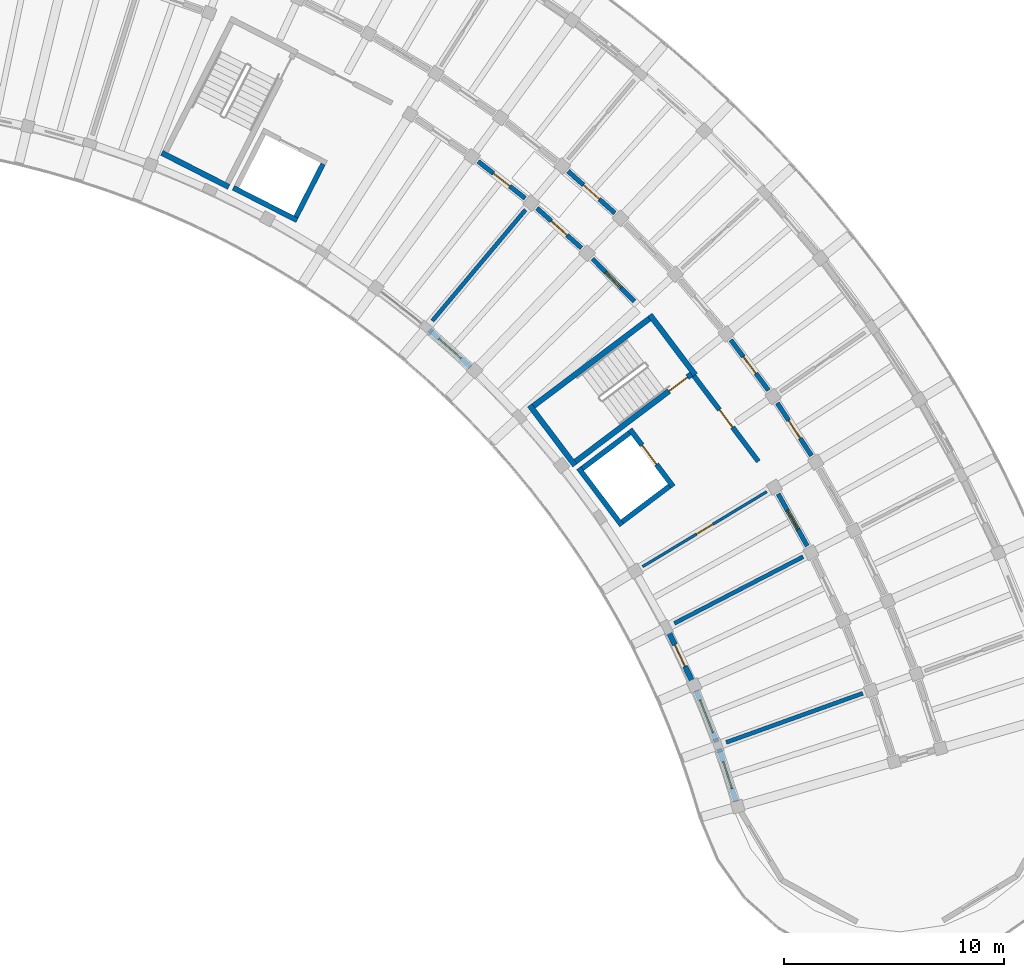
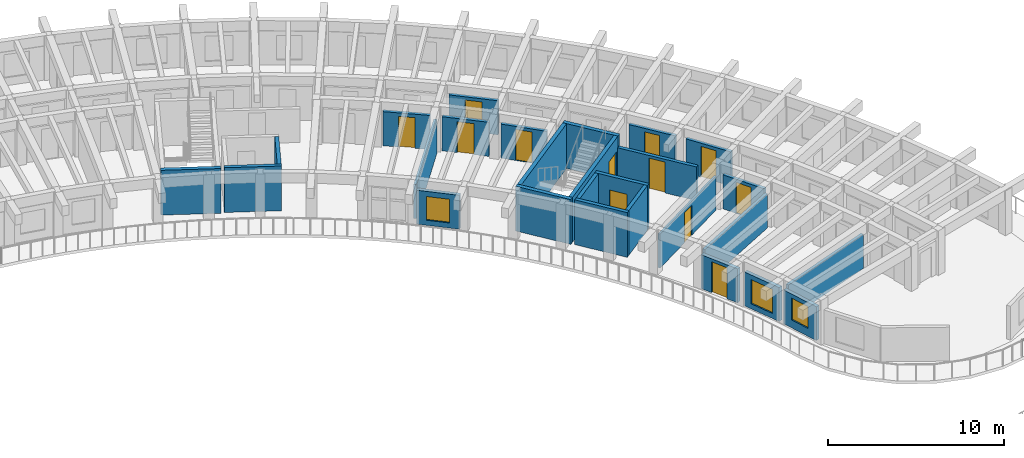
# One storey, part 43 of 69: 27 walls, 12 doors, 3 windows, 15 openings.
"""IFC4 building model written with IfcOpenShell, lengths in metres."""

from ifc_helpers import new_model, si_unit, direction, frame, frame_2d, origin, place, context, subcontext, project, spatial, rectangle, extrude, material, layer, layer_set, type_object, element, fill, save


model = new_model("IFC4")

# Units and contexts
model_context = context("Model", 3, precision=1e-05, world=origin(), true_north=direction((0.0, 1.0)))
body_context = subcontext(model_context, "Body", "Model", "MODEL_VIEW")
ifc_project = project(units=[si_unit("LENGTHUNIT", "METRE"), si_unit("AREAUNIT", "SQUARE_METRE"), si_unit("VOLUMEUNIT", "CUBIC_METRE"), si_unit("PLANEANGLEUNIT", "RADIAN"), si_unit("MASSUNIT", "GRAM", prefix="KILO")], contexts=[model_context])

# Site, building, storey
site_placement = place(None, origin())
site = spatial("IfcSite", under=ifc_project, at=site_placement, CompositionType="ELEMENT")
building_placement = place(site_placement, origin())
building = spatial("IfcBuilding", under=site, at=building_placement, Name="Tanwirah Colonnade Gardens", CompositionType="ELEMENT")
storey_placement = place(building_placement, frame((0.0, 0.0, 15.56005859375)))
storey = spatial("IfcBuildingStorey", under=building, at=storey_placement, Name="L04", CompositionType="ELEMENT", Elevation=15.56005859375)

# Wall, opening, window
ifc_material_1 = material(Name="Limestone architectural precast concrete C40/50", Category="masonry")
ifc_layer_1 = layer(ifc_material_1, 0.239990234375)
ifc_layer_set_1 = layer_set([ifc_layer_1], Name="Limestone architectural precast concrete C40/50")
wall_type_1 = type_object("IfcWallType", Name="EW-PC240", PredefinedType="SOLIDWALL", material=ifc_layer_set_1)
wall_1_placement = place(storey_placement, frame((163.65283203125, 72.685302734375, 0.0), z_axis=(0.0, 0.0, 1.0), x_axis=(-0.30716379336, 0.951656662903, 0.0)))
wall_1 = element("IfcWall", 1, at=wall_1_placement, inside=storey, type_object=wall_type_1, Name="Block B L04 IN Precast Facade Wall 0", PredefinedType="SOLIDWALL", context=body_context, shape_type="SweptSolid", body=[
    extrude(rectangle(XDim=2.525146484375, YDim=0.239990234375, at=frame_2d((1.2626953125, 0.0))), origin(), (0.0, 0.0, 1.0), 2.35498046875),
])
opening_1_placement = place(wall_1_placement, frame((0.62255859375, 0.0, 0.550048828125)))
opening_1 = element("IfcOpeningElement", 2, at=opening_1_placement, cuts=wall_1, Name="Opening WIN-T17", PredefinedType="OPENING", context=body_context, shape_type="SweptSolid", body=[
    extrude(rectangle(XDim=1.280029296875, YDim=1.52001953125, at=frame_2d((0.64013671875, 0.760009765625))), frame((0.0, 0.1298828125, 0.0), z_axis=(0.0, -1.0, 0.0), x_axis=(1.0, 0.0, 0.0)), (0.0, 0.0, 1.0), 0.260009765625),
])
ifc_material_2 = material(Name="Thermally broken bronze aluminium and solar low-E double glazing", Category="aluminium")
window_type_1 = type_object("IfcWindowType", Name="WIN-T17", PartitioningType="SINGLE_PANEL", PredefinedType="WINDOW", material=ifc_material_2)
window_1_placement = place(opening_1_placement, origin())
window_1 = element("IfcWindow", 3, at=window_1_placement, inside=storey, type_object=window_type_1, Name="Facade window B-L04-IN-00", OverallHeight=1.52001953125, OverallWidth=1.280029296875, PartitioningType="SINGLE_PANEL", PredefinedType="WINDOW", context=body_context, shape_type="SweptSolid", body=[
    extrude(rectangle(XDim=1.280029296875, YDim=1.52001953125, at=frame_2d((0.64013671875, 0.760009765625))), frame((0.0, 0.030029296875, 0.0), z_axis=(0.0, -1.0, 0.0), x_axis=(1.0, 0.0, 0.0)), (0.0, 0.0, 1.0), 0.06005859375),
])
fill(opening_1, window_1)

wall_2_placement = place(storey_placement, frame((162.768798828125, 75.389404296875, 0.0), z_axis=(0.0, 0.0, 1.0), x_axis=(-0.369122600107, 0.92938071106, 0.0)))
wall_2 = element("IfcWall", 4, at=wall_2_placement, inside=storey, type_object=wall_type_1, Name="Block B L04 IN Precast Facade Wall 1", PredefinedType="SOLIDWALL", context=body_context, shape_type="SweptSolid", body=[
    extrude(rectangle(XDim=2.525146484375, YDim=0.239990234375, at=frame_2d((1.2626953125, 0.0))), origin(), (0.0, 0.0, 1.0), 2.35498046875),
])
opening_2_placement = place(wall_2_placement, frame((0.47265625, 0.0, 0.35009765625)))
opening_2 = element("IfcOpeningElement", 5, at=opening_2_placement, cuts=wall_2, Name="Opening WIN-T20", PredefinedType="OPENING", context=body_context, shape_type="SweptSolid", body=[
    extrude(rectangle(XDim=1.580078125, YDim=1.679931640625, at=frame_2d((0.7900390625, 0.83984375))), frame((0.0, 0.1298828125, 0.0), z_axis=(0.0, -1.0, 0.0), x_axis=(1.0, 0.0, 0.0)), (0.0, 0.0, 1.0), 0.260009765625),
])
window_type_2 = type_object("IfcWindowType", Name="WIN-T20", PartitioningType="DOUBLE_PANEL_VERTICAL", PredefinedType="WINDOW", material=ifc_material_2)
window_2_placement = place(opening_2_placement, origin())
window_2 = element("IfcWindow", 6, at=window_2_placement, inside=storey, type_object=window_type_2, Name="Facade window B-L04-IN-01", OverallHeight=1.679931640625, OverallWidth=1.580078125, PartitioningType="SINGLE_PANEL", PredefinedType="WINDOW", context=body_context, shape_type="SweptSolid", body=[
    extrude(rectangle(XDim=1.580078125, YDim=1.679931640625, at=frame_2d((0.7900390625, 0.83984375))), frame((0.0, 0.030029296875, 0.0), z_axis=(0.0, -1.0, 0.0), x_axis=(1.0, 0.0, 0.0)), (0.0, 0.0, 1.0), 0.06005859375),
])
fill(opening_2, window_2)

# Wall, opening, door
wall_3_placement = place(storey_placement, frame((161.640869140625, 78.18505859375, 0.0), z_axis=(0.0, 0.0, 1.0), x_axis=(-0.429610836066, 0.903014135844, 0.0)))
wall_3 = element("IfcWall", 7, at=wall_3_placement, inside=storey, type_object=wall_type_1, Name="Block B L04 IN Precast Facade Wall 2", PredefinedType="SOLIDWALL", context=body_context, shape_type="SweptSolid", body=[
    extrude(rectangle(XDim=2.525390625, YDim=0.239990234375, at=frame_2d((1.2626953125, 0.0))), origin(), (0.0, 0.0, 1.0), 2.35498046875),
])
opening_3_placement = place(wall_3_placement, frame((0.72265625, 0.0, 0.0)))
opening_3 = element("IfcOpeningElement", 8, at=opening_3_placement, cuts=wall_3, Name="Opening L04-ED085", PredefinedType="OPENING", context=body_context, shape_type="SweptSolid", body=[
    extrude(rectangle(XDim=1.080078125, YDim=2.14990234375, at=frame_2d((0.5400390625, 1.074951171875))), frame((0.0, 0.1298828125, 0.0), z_axis=(0.0, -1.0, 0.0), x_axis=(1.0, 0.0, 0.0)), (0.0, 0.0, 1.0), 0.260009765625),
])
ifc_material_3 = material(Name="Bronze aluminium glazed balcony door", Category="aluminium")
door_type_1 = type_object("IfcDoorType", Name="ED-BAL108", OperationType="NOTDEFINED", PredefinedType="DOOR", material=ifc_material_3)
door_1_placement = place(opening_3_placement, origin())
door_1 = element("IfcDoor", 9, at=door_1_placement, inside=storey, type_object=door_type_1, Name="Balcony glazed door L04-ED085", OperationType="SINGLE_SWING_LEFT", OverallHeight=2.14990234375, OverallWidth=1.080078125, PredefinedType="DOOR", context=body_context, shape_type="SweptSolid", body=[
    extrude(rectangle(XDim=1.080078125, YDim=2.14990234375, at=frame_2d((0.5400390625, 1.074951171875))), frame((0.0, 0.02490234375, 0.0), z_axis=(0.0, -1.0, 0.0), x_axis=(1.0, 0.0, 0.0)), (0.0, 0.0, 1.0), 0.050048828125),
])
fill(opening_3, door_1)

# Wall, opening, window
wall_4_placement = place(storey_placement, frame((151.571044921875, 92.457763671875, 0.0), z_axis=(0.0, 0.0, 1.0), x_axis=(-0.744489903584, 0.667633719536, 0.0)))
wall_4 = element("IfcWall", 10, at=wall_4_placement, inside=storey, type_object=wall_type_1, Name="Block B L04 IN Precast Facade Wall 8", PredefinedType="SOLIDWALL", context=body_context, shape_type="SweptSolid", body=[
    extrude(rectangle(XDim=2.525390625, YDim=0.239990234375, at=frame_2d((1.2626953125, 0.0))), origin(), (0.0, 0.0, 1.0), 2.35498046875),
])
opening_4_placement = place(wall_4_placement, frame((0.587646484375, 0.0, 0.35009765625)))
opening_4 = element("IfcOpeningElement", 11, at=opening_4_placement, cuts=wall_4, Name="Opening WIN-T05", PredefinedType="OPENING", context=body_context, shape_type="SweptSolid", body=[
    extrude(rectangle(XDim=1.35009765625, YDim=1.64990234375, at=frame_2d((0.675048828125, 0.824951171875))), frame((0.0, 0.1298828125, 0.0), z_axis=(0.0, -1.0, 0.0), x_axis=(1.0, 0.0, 0.0)), (0.0, 0.0, 1.0), 0.260009765625),
])
window_type_3 = type_object("IfcWindowType", Name="WIN-T05", PartitioningType="DOUBLE_PANEL_VERTICAL", PredefinedType="WINDOW", material=ifc_material_2)
window_3_placement = place(opening_4_placement, origin())
window_3 = element("IfcWindow", 12, at=window_3_placement, inside=storey, type_object=window_type_3, Name="Facade window B-L04-IN-08", OverallHeight=1.64990234375, OverallWidth=1.35009765625, PartitioningType="SINGLE_PANEL", PredefinedType="WINDOW", context=body_context, shape_type="SweptSolid", body=[
    extrude(rectangle(XDim=1.35009765625, YDim=1.64990234375, at=frame_2d((0.675048828125, 0.824951171875))), frame((0.0, 0.030029296875, 0.0), z_axis=(0.0, -1.0, 0.0), x_axis=(1.0, 0.0, 0.0)), (0.0, 0.0, 1.0), 0.06005859375),
])
fill(opening_4, window_3)

# Wall, opening, door
ifc_material_4 = material(Name="Precast concrete C40/50", Category="concrete")
ifc_layer_2 = layer(ifc_material_4, 0.205078125)
ifc_layer_set_2 = layer_set([ifc_layer_2], Name="Precast concrete C40/50")
wall_type_2 = type_object("IfcWallType", Name="IW-CORR205", PredefinedType="PARTITIONING", material=ifc_layer_set_2)
wall_5_placement = place(storey_placement, frame((166.89013671875, 84.313232421875, 0.0), z_axis=(0.0, 0.0, 1.0), x_axis=(-0.48819576874, 0.872734147025, 0.0)))
wall_5 = element("IfcWall", 13, at=wall_5_placement, inside=storey, type_object=wall_type_2, Name="Block B L04 IN Corridor Wall 3", PredefinedType="PARTITIONING", context=body_context, shape_type="SweptSolid", body=[
    extrude(rectangle(XDim=2.718017578125, YDim=0.205078125, at=frame_2d((1.35888671875, 0.0))), origin(), (0.0, 0.0, 1.0), 2.369873046875),
])
opening_5_placement = place(wall_5_placement, frame((0.864013671875, 0.0, 0.0)))
opening_5 = element("IfcOpeningElement", 14, at=opening_5_placement, cuts=wall_5, Name="Opening L04-AD969", PredefinedType="OPENING", context=body_context, shape_type="SweptSolid", body=[
    extrude(rectangle(XDim=0.989990234375, YDim=2.159912109375, at=frame_2d((0.4951171875, 1.080078125))), frame((0.0, 0.112548828125, 0.0), z_axis=(0.0, -1.0, 0.0), x_axis=(1.0, 0.0, 0.0)), (0.0, 0.0, 1.0), 0.22509765625),
])
ifc_material_5 = material(Name="Solid oak fire-resisting apartment entrance door")
door_type_2 = type_object("IfcDoorType", Name="ID-FLT099", OperationType="NOTDEFINED", PredefinedType="DOOR", material=ifc_material_5)
door_2_placement = place(opening_5_placement, origin())
door_2 = element("IfcDoor", 15, at=door_2_placement, inside=storey, type_object=door_type_2, Name="Apartment corridor door L04-AD969", OperationType="SINGLE_SWING_LEFT", OverallHeight=2.159912109375, OverallWidth=0.989990234375, PredefinedType="DOOR", context=body_context, shape_type="SweptSolid", body=[
    extrude(rectangle(XDim=0.989990234375, YDim=2.159912109375, at=frame_2d((0.4951171875, 1.080078125))), frame((0.0, 0.02490234375, 0.0), z_axis=(0.0, -1.0, 0.0), x_axis=(1.0, 0.0, 0.0)), (0.0, 0.0, 1.0), 0.050048828125),
])
fill(opening_5, door_2)

wall_6_placement = place(storey_placement, frame((167.085205078125, 88.421142578125, 0.0), z_axis=(0.0, 0.0, 1.0), x_axis=(-0.544643612649, 0.838667595178, 0.0)))
wall_6 = element("IfcWall", 16, at=wall_6_placement, inside=storey, type_object=wall_type_2, Name="Block B L04 OUT Corridor Wall 4", PredefinedType="PARTITIONING", context=body_context, shape_type="SweptSolid", body=[
    extrude(rectangle(XDim=2.863037109375, YDim=0.205078125, at=frame_2d((1.431640625, 0.0))), origin(), (0.0, 0.0, 1.0), 2.369873046875),
])
opening_6_placement = place(wall_6_placement, frame((0.946533203125, 0.0, 0.0)))
opening_6 = element("IfcOpeningElement", 17, at=opening_6_placement, cuts=wall_6, Name="Opening L04-AD971", PredefinedType="OPENING", context=body_context, shape_type="SweptSolid", body=[
    extrude(rectangle(XDim=0.969970703125, YDim=2.14990234375, at=frame_2d((0.48486328125, 1.074951171875))), frame((0.0, 0.112548828125, 0.0), z_axis=(0.0, -1.0, 0.0), x_axis=(1.0, 0.0, 0.0)), (0.0, 0.0, 1.0), 0.22509765625),
])
door_type_3 = type_object("IfcDoorType", Name="ID-FLT097", OperationType="NOTDEFINED", PredefinedType="DOOR", material=ifc_material_5)
door_3_placement = place(opening_6_placement, origin())
door_3 = element("IfcDoor", 18, at=door_3_placement, inside=storey, type_object=door_type_3, Name="Apartment corridor door L04-AD971", OperationType="SINGLE_SWING_LEFT", OverallHeight=2.14990234375, OverallWidth=0.969970703125, PredefinedType="DOOR", context=body_context, shape_type="SweptSolid", body=[
    extrude(rectangle(XDim=0.969970703125, YDim=2.14990234375, at=frame_2d((0.48486328125, 1.074951171875))), frame((0.0, 0.02490234375, 0.0), z_axis=(0.0, -1.0, 0.0), x_axis=(1.0, 0.0, 0.0)), (0.0, 0.0, 1.0), 0.050048828125),
])
fill(opening_6, door_3)

wall_7_placement = place(storey_placement, frame((165.125732421875, 91.396240234375, 0.0), z_axis=(0.0, 0.0, 1.0), x_axis=(-0.598757763243, 0.800930172335, 0.0)))
wall_7 = element("IfcWall", 19, at=wall_7_placement, inside=storey, type_object=wall_type_2, Name="Block B L04 OUT Corridor Wall 5", PredefinedType="PARTITIONING", context=body_context, shape_type="SweptSolid", body=[
    extrude(rectangle(XDim=2.86328125, YDim=0.205078125, at=frame_2d((1.431640625, 0.0))), origin(), (0.0, 0.0, 1.0), 2.369873046875),
])
opening_7_placement = place(wall_7_placement, frame((0.95654296875, 0.0, 0.0)))
opening_7 = element("IfcOpeningElement", 20, at=opening_7_placement, cuts=wall_7, Name="Opening L04-AD973", PredefinedType="OPENING", context=body_context, shape_type="SweptSolid", body=[
    extrude(rectangle(XDim=0.949951171875, YDim=2.1298828125, at=frame_2d((0.47509765625, 1.06494140625))), frame((0.0, 0.112548828125, 0.0), z_axis=(0.0, -1.0, 0.0), x_axis=(1.0, 0.0, 0.0)), (0.0, 0.0, 1.0), 0.22509765625),
])
door_type_4 = type_object("IfcDoorType", Name="ID-FLT095", OperationType="NOTDEFINED", PredefinedType="DOOR", material=ifc_material_5)
door_4_placement = place(opening_7_placement, origin())
door_4 = element("IfcDoor", 21, at=door_4_placement, inside=storey, type_object=door_type_4, Name="Apartment corridor door L04-AD973", OperationType="SINGLE_SWING_RIGHT", OverallHeight=2.1298828125, OverallWidth=0.949951171875, PredefinedType="DOOR", context=body_context, shape_type="SweptSolid", body=[
    extrude(rectangle(XDim=0.949951171875, YDim=2.1298828125, at=frame_2d((0.47509765625, 1.06494140625))), frame((0.0, 0.02490234375, 0.0), z_axis=(0.0, -1.0, 0.0), x_axis=(1.0, 0.0, 0.0)), (0.0, 0.0, 1.0), 0.050048828125),
])
fill(opening_7, door_4)

wall_8_placement = place(storey_placement, frame((159.01708984375, 95.442626953125, 0.0), z_axis=(0.0, 0.0, 1.0), x_axis=(-0.698840007829, 0.715278018296, 0.0)))
wall_8 = element("IfcWall", 22, at=wall_8_placement, inside=storey, type_object=wall_type_2, Name="Block B L04 IN Corridor Wall 7", PredefinedType="PARTITIONING", context=body_context, shape_type="SweptSolid", body=[
    extrude(rectangle(XDim=2.718017578125, YDim=0.205078125, at=frame_2d((1.35888671875, 0.0))), origin(), (0.0, 0.0, 1.0), 2.369873046875),
])
opening_8_placement = place(wall_8_placement, frame((0.864013671875, 0.0, 0.0)))
opening_8 = element("IfcOpeningElement", 23, at=opening_8_placement, cuts=wall_8, Name="Opening L04-AD977", PredefinedType="OPENING", context=body_context, shape_type="SweptSolid", body=[
    extrude(rectangle(XDim=0.989990234375, YDim=2.159912109375, at=frame_2d((0.4951171875, 1.080078125))), frame((0.0, 0.112548828125, 0.0), z_axis=(0.0, -1.0, 0.0), x_axis=(1.0, 0.0, 0.0)), (0.0, 0.0, 1.0), 0.22509765625),
])
door_5_placement = place(opening_8_placement, origin())
door_5 = element("IfcDoor", 24, at=door_5_placement, inside=storey, type_object=door_type_2, Name="Apartment corridor door L04-AD977", OperationType="SINGLE_SWING_LEFT", OverallHeight=2.159912109375, OverallWidth=0.989990234375, PredefinedType="DOOR", context=body_context, shape_type="SweptSolid", body=[
    extrude(rectangle(XDim=0.989990234375, YDim=2.159912109375, at=frame_2d((0.4951171875, 1.080078125))), frame((0.0, 0.02490234375, 0.0), z_axis=(0.0, -1.0, 0.0), x_axis=(1.0, 0.0, 0.0)), (0.0, 0.0, 1.0), 0.050048828125),
])
fill(opening_8, door_5)

wall_9_placement = place(storey_placement, frame((158.134765625, 99.459228515625, 0.0), z_axis=(0.0, 0.0, 1.0), x_axis=(-0.744433521088, 0.667696587291, 0.0)))
wall_9 = element("IfcWall", 25, at=wall_9_placement, inside=storey, type_object=wall_type_2, Name="Block B L04 OUT Corridor Wall 8", PredefinedType="PARTITIONING", context=body_context, shape_type="SweptSolid", body=[
    extrude(rectangle(XDim=2.86328125, YDim=0.205078125, at=frame_2d((1.431640625, 0.0))), origin(), (0.0, 0.0, 1.0), 2.369873046875),
])
opening_9_placement = place(wall_9_placement, frame((0.946533203125, 0.0, 0.0)))
opening_9 = element("IfcOpeningElement", 26, at=opening_9_placement, cuts=wall_9, Name="Opening L04-AD978", PredefinedType="OPENING", context=body_context, shape_type="SweptSolid", body=[
    extrude(rectangle(XDim=0.969970703125, YDim=2.14990234375, at=frame_2d((0.48486328125, 1.074951171875))), frame((0.0, 0.112548828125, 0.0), z_axis=(0.0, -1.0, 0.0), x_axis=(1.0, 0.0, 0.0)), (0.0, 0.0, 1.0), 0.22509765625),
])
door_6_placement = place(opening_9_placement, origin())
door_6 = element("IfcDoor", 27, at=door_6_placement, inside=storey, type_object=door_type_3, Name="Apartment corridor door L04-AD978", OperationType="SINGLE_SWING_LEFT", OverallHeight=2.14990234375, OverallWidth=0.969970703125, PredefinedType="DOOR", context=body_context, shape_type="SweptSolid", body=[
    extrude(rectangle(XDim=0.969970703125, YDim=2.14990234375, at=frame_2d((0.48486328125, 1.074951171875))), frame((0.0, 0.02490234375, 0.0), z_axis=(0.0, -1.0, 0.0), x_axis=(1.0, 0.0, 0.0)), (0.0, 0.0, 1.0), 0.050048828125),
])
fill(opening_9, door_6)

wall_10_placement = place(storey_placement, frame((156.612548828125, 97.870849609375, 0.0), z_axis=(0.0, 0.0, 1.0), x_axis=(-0.744418559135, 0.667713268413, 0.0)))
wall_10 = element("IfcWall", 28, at=wall_10_placement, inside=storey, type_object=wall_type_2, Name="Block B L04 IN Corridor Wall 8", PredefinedType="PARTITIONING", context=body_context, shape_type="SweptSolid", body=[
    extrude(rectangle(XDim=2.71826171875, YDim=0.205078125, at=frame_2d((1.359130859375, 0.0))), origin(), (0.0, 0.0, 1.0), 2.369873046875),
])
opening_10_placement = place(wall_10_placement, frame((0.8740234375, 0.0, 0.0)))
opening_10 = element("IfcOpeningElement", 29, at=opening_10_placement, cuts=wall_10, Name="Opening L04-AD979", PredefinedType="OPENING", context=body_context, shape_type="SweptSolid", body=[
    extrude(rectangle(XDim=0.969970703125, YDim=2.14990234375, at=frame_2d((0.48486328125, 1.074951171875))), frame((0.0, 0.112548828125, 0.0), z_axis=(0.0, -1.0, 0.0), x_axis=(1.0, 0.0, 0.0)), (0.0, 0.0, 1.0), 0.22509765625),
])
door_7_placement = place(opening_10_placement, origin())
door_7 = element("IfcDoor", 30, at=door_7_placement, inside=storey, type_object=door_type_3, Name="Apartment corridor door L04-AD979", OperationType="SINGLE_SWING_RIGHT", OverallHeight=2.14990234375, OverallWidth=0.969970703125, PredefinedType="DOOR", context=body_context, shape_type="SweptSolid", body=[
    extrude(rectangle(XDim=0.969970703125, YDim=2.14990234375, at=frame_2d((0.48486328125, 1.074951171875))), frame((0.0, 0.02490234375, 0.0), z_axis=(0.0, -1.0, 0.0), x_axis=(1.0, 0.0, 0.0)), (0.0, 0.0, 1.0), 0.050048828125),
])
fill(opening_10, door_7)

wall_11_placement = place(storey_placement, frame((154.05322265625, 100.135498046875, 0.0), z_axis=(0.0, 0.0, 1.0), x_axis=(-0.786835457019, 0.617162833924, 0.0)))
wall_11 = element("IfcWall", 31, at=wall_11_placement, inside=storey, type_object=wall_type_2, Name="Block B L04 IN Corridor Wall 9", PredefinedType="PARTITIONING", context=body_context, shape_type="SweptSolid", body=[
    extrude(rectangle(XDim=2.718017578125, YDim=0.205078125, at=frame_2d((1.35888671875, 0.0))), origin(), (0.0, 0.0, 1.0), 2.369873046875),
])
opening_11_placement = place(wall_11_placement, frame((0.884033203125, 0.0, 0.0)))
opening_11 = element("IfcOpeningElement", 32, at=opening_11_placement, cuts=wall_11, Name="Opening L04-AD982", PredefinedType="OPENING", context=body_context, shape_type="SweptSolid", body=[
    extrude(rectangle(XDim=0.949951171875, YDim=2.1298828125, at=frame_2d((0.47509765625, 1.06494140625))), frame((0.0, 0.112548828125, 0.0), z_axis=(0.0, -1.0, 0.0), x_axis=(1.0, 0.0, 0.0)), (0.0, 0.0, 1.0), 0.22509765625),
])
door_8_placement = place(opening_11_placement, origin())
door_8 = element("IfcDoor", 33, at=door_8_placement, inside=storey, type_object=door_type_4, Name="Apartment corridor door L04-AD982", OperationType="SINGLE_SWING_LEFT", OverallHeight=2.1298828125, OverallWidth=0.949951171875, PredefinedType="DOOR", context=body_context, shape_type="SweptSolid", body=[
    extrude(rectangle(XDim=0.949951171875, YDim=2.1298828125, at=frame_2d((0.47509765625, 1.06494140625))), frame((0.0, 0.02490234375, 0.0), z_axis=(0.0, -1.0, 0.0), x_axis=(1.0, 0.0, 0.0)), (0.0, 0.0, 1.0), 0.050048828125),
])
fill(opening_11, door_8)

# Walls
ifc_layer_3 = layer(ifc_material_4, 0.18505859375)
ifc_layer_set_3 = layer_set([ifc_layer_3], Name="Precast concrete C40/50")
wall_type_3 = type_object("IfcWallType", Name="IW-DEM185", PredefinedType="PARTITIONING", material=ifc_layer_set_3)
wall_12_placement = place(storey_placement, frame((163.204345703125, 75.3759765625, 0.0), z_axis=(0.0, 0.0, 1.0), x_axis=(0.941005714099, 0.338390670725, 0.0)))
element("IfcWall", 34, at=wall_12_placement, inside=storey, type_object=wall_type_3, Name="Block B L04 Inner Radial Partition 0", PredefinedType="PARTITIONING", context=body_context, shape_type="SweptSolid", body=[
    extrude(rectangle(XDim=6.60009765625, YDim=0.18505859375, at=frame_2d((3.300048828125, 0.0))), origin(), (0.0, 0.0, 1.0), 2.369873046875),
])
wall_13_placement = place(storey_placement, frame((160.842529296875, 80.793701171875, 0.0), z_axis=(0.0, 0.0, 1.0), x_axis=(0.888346696024, 0.459173330741, 0.0)))
element("IfcWall", 35, at=wall_13_placement, inside=storey, type_object=wall_type_3, Name="Block B L04 Inner Radial Partition 2", PredefinedType="PARTITIONING", context=body_context, shape_type="SweptSolid", body=[
    extrude(rectangle(XDim=6.599853515625, YDim=0.18505859375, at=frame_2d((3.2998046875, 0.0))), origin(), (0.0, 0.0, 1.0), 2.369873046875),
])
wall_14_placement = place(storey_placement, frame((149.8291015625, 94.55712890625, 0.0), z_axis=(0.0, 0.0, 1.0), x_axis=(0.642789470807, 0.766042881449, 0.0)))
element("IfcWall", 36, at=wall_14_placement, inside=storey, type_object=wall_type_3, Name="Block B L04 Inner Radial Partition 8", PredefinedType="PARTITIONING", context=body_context, shape_type="SweptSolid", body=[
    extrude(rectangle(XDim=6.60009765625, YDim=0.18505859375, at=frame_2d((3.300048828125, 0.0))), origin(), (0.0, 0.0, 1.0), 2.369873046875),
])

# Wall, opening, door
ifc_material_6 = material(Name="Autoclaved aerated masonry blockwork", Category="masonry")
ifc_layer_4 = layer(ifc_material_6, 0.219970703125)
ifc_layer_set_4 = layer_set([ifc_layer_4], Name="Autoclaved aerated masonry blockwork")
wall_type_4 = type_object("IfcWallType", Name="IW-FFL220", PredefinedType="PARTITIONING", material=ifc_layer_set_4)
wall_15_placement = place(storey_placement, frame((161.7177734375, 92.072509765625, 0.0), z_axis=(0.0, 0.0, 1.0), x_axis=(0.601792209296, -0.79865270101, 0.0)))
wall_15 = element("IfcWall", 37, at=wall_15_placement, inside=storey, type_object=wall_type_4, Name="CORE-B1 L04 Enclosed Lobby Fire Wall", PredefinedType="PARTITIONING", context=body_context, shape_type="SweptSolid", body=[
    extrude(rectangle(XDim=4.89990234375, YDim=0.219970703125, at=frame_2d((2.449951171875, 0.0))), origin(), (0.0, 0.0, 1.0), 2.33984375),
])
opening_12_placement = place(wall_15_placement, frame((1.949951171875, 0.0, 0.0)))
opening_12 = element("IfcOpeningElement", 38, at=opening_12_placement, cuts=wall_15, Name="Opening L04-LD084", PredefinedType="OPENING", context=body_context, shape_type="SweptSolid", body=[
    extrude(rectangle(XDim=1.0, YDim=2.14990234375, at=frame_2d((0.5, 1.074951171875))), frame((0.0, 0.119873046875, 0.0), z_axis=(0.0, -1.0, 0.0), x_axis=(1.0, 0.0, 0.0)), (0.0, 0.0, 1.0), 0.239990234375),
])
ifc_material_7 = material(Name="Acoustic fire-resisting lobby door")
door_type_5 = type_object("IfcDoorType", Name="ID-FFL100", OperationType="NOTDEFINED", PredefinedType="DOOR", material=ifc_material_7)
door_9_placement = place(opening_12_placement, origin())
door_9 = element("IfcDoor", 39, at=door_9_placement, inside=storey, type_object=door_type_5, Name="CORE-B1 L04 Lobby Fire Door L04-LD084", OperationType="SINGLE_SWING_LEFT", OverallHeight=2.14990234375, OverallWidth=1.0, PredefinedType="DOOR", context=body_context, shape_type="SweptSolid", body=[
    extrude(rectangle(XDim=1.0, YDim=2.14990234375, at=frame_2d((0.5, 1.074951171875))), frame((0.0, 0.02490234375, 0.0), z_axis=(0.0, -1.0, 0.0), x_axis=(1.0, 0.0, 0.0)), (0.0, 0.0, 1.0), 0.050048828125),
])
fill(opening_12, door_9)

ifc_material_8 = material(Name="Moisture-resistant gypsum stud partition")
ifc_layer_5 = layer(ifc_material_8, 0.125)
ifc_layer_set_5 = layer_set([ifc_layer_5], Name="Moisture-resistant gypsum stud partition")
wall_type_5 = type_object("IfcWallType", Name="IW-INT125", PredefinedType="PARTITIONING", material=ifc_layer_set_5)
wall_16_placement = place(storey_placement, frame((159.399169921875, 83.3740234375, 0.0), z_axis=(0.0, 0.0, 1.0), x_axis=(0.85616819337, 0.516697227263, 0.0)))
wall_16 = element("IfcWall", 40, at=wall_16_placement, inside=storey, type_object=wall_type_5, Name="Block B L04 Inner Radial Partition 3", PredefinedType="PARTITIONING", context=body_context, shape_type="SweptSolid", body=[
    extrude(rectangle(XDim=6.599853515625, YDim=0.125, at=frame_2d((3.2998046875, 0.0))), origin(), (0.0, 0.0, 1.0), 2.369873046875),
])
opening_13_placement = place(wall_16_placement, frame((2.864990234375, 0.0, 0.0)))
opening_13 = element("IfcOpeningElement", 41, at=opening_13_placement, cuts=wall_16, Name="Opening L04-RD970", PredefinedType="OPENING", context=body_context, shape_type="SweptSolid", body=[
    extrude(rectangle(XDim=0.8701171875, YDim=2.080078125, at=frame_2d((0.43505859375, 1.0400390625))), frame((0.0, 0.072509765625, 0.0), z_axis=(0.0, -1.0, 0.0), x_axis=(1.0, 0.0, 0.0)), (0.0, 0.0, 1.0), 0.14501953125),
])
ifc_material_9 = material(Name="Painted hardwood study door", Category="wood")
door_type_6 = type_object("IfcDoorType", Name="ID-RM087", OperationType="NOTDEFINED", PredefinedType="DOOR", material=ifc_material_9)
door_10_placement = place(opening_13_placement, origin())
door_10 = element("IfcDoor", 42, at=door_10_placement, inside=storey, type_object=door_type_6, Name="Internal apartment door L04-RD970", OperationType="SINGLE_SWING_LEFT", OverallHeight=2.080078125, OverallWidth=0.8701171875, PredefinedType="DOOR", context=body_context, shape_type="SweptSolid", body=[
    extrude(rectangle(XDim=0.8701171875, YDim=2.080078125, at=frame_2d((0.43505859375, 1.0400390625))), frame((0.0, 0.02490234375, 0.0), z_axis=(0.0, -1.0, 0.0), x_axis=(1.0, 0.0, 0.0)), (0.0, 0.0, 1.0), 0.050048828125),
])
fill(opening_13, door_10)

# Walls
ifc_material_10 = material(Name="Concrete C45/55", Category="concrete")
ifc_layer_6 = layer(ifc_material_10, 0.25)
ifc_layer_set_6 = layer_set([ifc_layer_6], Name="Concrete C45/55")
wall_type_6 = type_object("IfcWallType", Name="SW-CORE250", PredefinedType="SHEAR", material=ifc_layer_set_6)
wall_17_placement = place(storey_placement, frame((159.706787109375, 94.657958984375, 0.0), z_axis=(0.0, 0.0, 1.0), x_axis=(-0.798639633744, -0.601809550782, 0.0)))
element("IfcWall", 43, at=wall_17_placement, inside=storey, type_object=wall_type_6, Name="CORE-B1 L04 Stair Shaft Shear Wall LEFT", PredefinedType="SHEAR", context=body_context, shape_type="SweptSolid", body=[
    extrude(rectangle(XDim=6.599853515625, YDim=0.25, at=frame_2d((3.2998046875, 0.0))), origin(), (0.0, 0.0, 1.0), 3.10986328125),
])
wall_18_placement = place(storey_placement, frame((154.2607421875, 90.710693359375, 0.0), z_axis=(0.0, 0.0, 1.0), x_axis=(0.601825826579, -0.798627368967, 0.0)))
element("IfcWall", 44, at=wall_18_placement, inside=storey, type_object=wall_type_6, Name="CORE-B1 L04 Stair Shaft Shear Wall FAR", PredefinedType="SHEAR", context=body_context, shape_type="SweptSolid", body=[
    extrude(rectangle(XDim=3.420166015625, YDim=0.25, at=frame_2d((1.7099609375, 0.0))), origin(), (0.0, 0.0, 1.0), 3.10986328125),
])
wall_19_placement = place(storey_placement, frame((159.7314453125, 94.8330078125, 0.0), z_axis=(0.0, 0.0, 1.0), x_axis=(0.601814606132, -0.798635824294, 0.0)))
element("IfcWall", 45, at=wall_19_placement, inside=storey, type_object=wall_type_6, Name="CORE-B1 L04 Stair Shaft Shear Wall NEAR", PredefinedType="SHEAR", context=body_context, shape_type="SweptSolid", body=[
    extrude(rectangle(XDim=3.419921875, YDim=0.25, at=frame_2d((1.7099609375, 0.0))), origin(), (0.0, 0.0, 1.0), 3.10986328125),
])

# Wall, opening, door
wall_20_placement = place(storey_placement, frame((161.614501953125, 92.126220703125, 0.0), z_axis=(0.0, 0.0, 1.0), x_axis=(-0.798639633744, -0.601809550782, 0.0)))
wall_20 = element("IfcWall", 46, at=wall_20_placement, inside=storey, type_object=wall_type_6, Name="CORE-B1 L04 Stair Shaft Shear Wall RIGHT", PredefinedType="SHEAR", context=body_context, shape_type="SweptSolid", body=[
    extrude(rectangle(XDim=6.599853515625, YDim=0.25, at=frame_2d((3.2998046875, 0.0))), origin(), (0.0, 0.0, 1.0), 3.10986328125),
])
opening_14_placement = place(wall_20_placement, frame((0.219970703125, 0.0, 0.0)))
opening_14 = element("IfcOpeningElement", 47, at=opening_14_placement, cuts=wall_20, Name="Opening L04-SD070", PredefinedType="OPENING", context=body_context, shape_type="SweptSolid", body=[
    extrude(rectangle(XDim=1.050048828125, YDim=2.14990234375, at=frame_2d((0.52490234375, 1.074951171875))), frame((0.0, 0.135009765625, 0.0), z_axis=(0.0, -1.0, 0.0), x_axis=(1.0, 0.0, 0.0)), (0.0, 0.0, 1.0), 0.27001953125),
])
ifc_material_11 = material(Name="Steel fire-resisting stair enclosure door", Category="steel")
door_type_7 = type_object("IfcDoorType", Name="ID-ST105", OperationType="NOTDEFINED", PredefinedType="DOOR", material=ifc_material_11)
door_11_placement = place(opening_14_placement, origin())
door_11 = element("IfcDoor", 48, at=door_11_placement, inside=storey, type_object=door_type_7, Name="CORE-B1 L04 Stair Fire Door L04-SD070", OperationType="SINGLE_SWING_LEFT", OverallHeight=2.14990234375, OverallWidth=1.050048828125, PredefinedType="DOOR", context=body_context, shape_type="SweptSolid", body=[
    extrude(rectangle(XDim=1.050048828125, YDim=2.14990234375, at=frame_2d((0.52490234375, 1.074951171875))), frame((0.0, 0.02490234375, 0.0), z_axis=(0.0, -1.0, 0.0), x_axis=(1.0, 0.0, 0.0)), (0.0, 0.0, 1.0), 0.050048828125),
])
fill(opening_14, door_11)

# Wall
wall_21_placement = place(storey_placement, frame((137.51953125, 102.203369140625, 0.0), z_axis=(0.0, 0.0, 1.0), x_axis=(0.891003540237, -0.453996356025, 0.0)))
element("IfcWall", 49, at=wall_21_placement, inside=storey, type_object=wall_type_6, Name="CORE-B2 L04 Stair Shaft Shear Wall FAR", PredefinedType="SHEAR", context=body_context, shape_type="SweptSolid", body=[
    extrude(rectangle(XDim=3.420166015625, YDim=0.25, at=frame_2d((1.7099609375, 0.0))), origin(), (0.0, 0.0, 1.0), 3.10986328125),
])

# Wall, opening, door
ifc_layer_7 = layer(ifc_material_10, 0.22998046875)
ifc_layer_set_7 = layer_set([ifc_layer_7], Name="Concrete C45/55")
wall_type_7 = type_object("IfcWallType", Name="SW-LIFT230", PredefinedType="SHEAR", material=ifc_layer_set_7)
wall_22_placement = place(storey_placement, frame((158.827392578125, 89.618896484375, 0.0), z_axis=(0.0, 0.0, 1.0), x_axis=(0.601819781152, -0.798631924615, 0.0)))
wall_22 = element("IfcWall", 50, at=wall_22_placement, inside=storey, type_object=wall_type_7, Name="CORE-B1 L04 Lift Shaft Wall FRONT", PredefinedType="SHEAR", context=body_context, shape_type="SweptSolid", body=[
    extrude(rectangle(XDim=3.260009765625, YDim=0.22998046875, at=frame_2d((1.6298828125, 0.0))), origin(), (0.0, 0.0, 1.0), 3.10986328125),
])
opening_15_placement = place(wall_22_placement, frame((0.89990234375, 0.0, 0.0)))
opening_15 = element("IfcOpeningElement", 51, at=opening_15_placement, cuts=wall_22, Name="Opening L04-LD-FL-B1", PredefinedType="OPENING", context=body_context, shape_type="SweptSolid", body=[
    extrude(rectangle(XDim=1.10009765625, YDim=2.14990234375, at=frame_2d((0.550048828125, 1.074951171875))), frame((0.0, 0.125, 0.0), z_axis=(0.0, -1.0, 0.0), x_axis=(1.0, 0.0, 0.0)), (0.0, 0.0, 1.0), 0.25),
])
ifc_material_12 = material(Name="Stainless steel sliding fire lift landing door", Category="steel")
door_type_8 = type_object("IfcDoorType", Name="LD-FF11", OperationType="DOUBLE_DOOR_SLIDING", PredefinedType="DOOR", material=ifc_material_12)
door_12_placement = place(opening_15_placement, origin())
door_12 = element("IfcDoor", 52, at=door_12_placement, inside=storey, type_object=door_type_8, Name="Lift FL-B1 L04 Sliding Landing Door", OperationType="DOUBLE_DOOR_SLIDING", OverallHeight=2.14990234375, OverallWidth=1.10009765625, PredefinedType="DOOR", context=body_context, shape_type="SweptSolid", body=[
    extrude(rectangle(XDim=1.10009765625, YDim=2.14990234375, at=frame_2d((0.550048828125, 1.074951171875))), frame((0.0, 0.02490234375, 0.0), z_axis=(0.0, -1.0, 0.0), x_axis=(1.0, 0.0, 0.0)), (0.0, 0.0, 1.0), 0.050048828125),
])
fill(opening_15, door_12)

# Walls
wall_23_placement = place(storey_placement, frame((156.4873046875, 87.855712890625, 0.0), z_axis=(0.0, 0.0, 1.0), x_axis=(0.601819781152, -0.798631924615, 0.0)))
element("IfcWall", 53, at=wall_23_placement, inside=storey, type_object=wall_type_7, Name="CORE-B1 L04 Lift Shaft Wall BACK", PredefinedType="SHEAR", context=body_context, shape_type="SweptSolid", body=[
    extrude(rectangle(XDim=3.260009765625, YDim=0.22998046875, at=frame_2d((1.6298828125, 0.0))), origin(), (0.0, 0.0, 1.0), 3.10986328125),
])
for number, where, z_axis, x_axis, name in (
    (54, (158.8046875, 89.4580078125, 0.0), (0.0, 0.0, 1.0), (-0.798608971494, -0.601850239387, 0.0), "CORE-B1 L04 Lift Shaft Wall SIDEA"),
    (55, (160.628173828125, 87.0380859375, 0.0), (0.0, 0.0, 1.0), (-0.798608971494, -0.601850239387, 0.0), "CORE-B1 L04 Lift Shaft Wall SIDEB"),
):
    element("IfcWall", number, at=place(storey_placement, frame(where, z_axis=z_axis, x_axis=x_axis)), inside=storey, type_object=wall_type_7, Name=name, PredefinedType="SHEAR", context=body_context, shape_type="SweptSolid", body=[
        extrude(rectangle(XDim=2.699951171875, YDim=0.22998046875, at=frame_2d((1.35009765625, 0.0))), origin(), (0.0, 0.0, 1.0), 3.10986328125),
    ])
wall_24_placement = place(storey_placement, frame((140.772216796875, 100.61328125, 0.0), z_axis=(0.0, 0.0, 1.0), x_axis=(0.891016635648, -0.453970654337, 0.0)))
element("IfcWall", 56, at=wall_24_placement, inside=storey, type_object=wall_type_7, Name="CORE-B2 L04 Lift Shaft Wall BACK", PredefinedType="SHEAR", context=body_context, shape_type="SweptSolid", body=[
    extrude(rectangle(XDim=3.260009765625, YDim=0.22998046875, at=frame_2d((1.6298828125, 0.0))), origin(), (0.0, 0.0, 1.0), 3.10986328125),
])
wall_25_placement = place(storey_placement, frame((144.8525390625, 101.693603515625, 0.0), z_axis=(0.0, 0.0, 1.0), x_axis=(-0.454036857101, -0.890982902414, 0.0)))
element("IfcWall", 57, at=wall_25_placement, inside=storey, type_object=wall_type_7, Name="CORE-B2 L04 Lift Shaft Wall SIDEB", PredefinedType="SHEAR", context=body_context, shape_type="SweptSolid", body=[
    extrude(rectangle(XDim=2.699951171875, YDim=0.22998046875, at=frame_2d((1.35009765625, 0.0))), origin(), (0.0, 0.0, 1.0), 3.10986328125),
])

save(model, "model.ifc")
